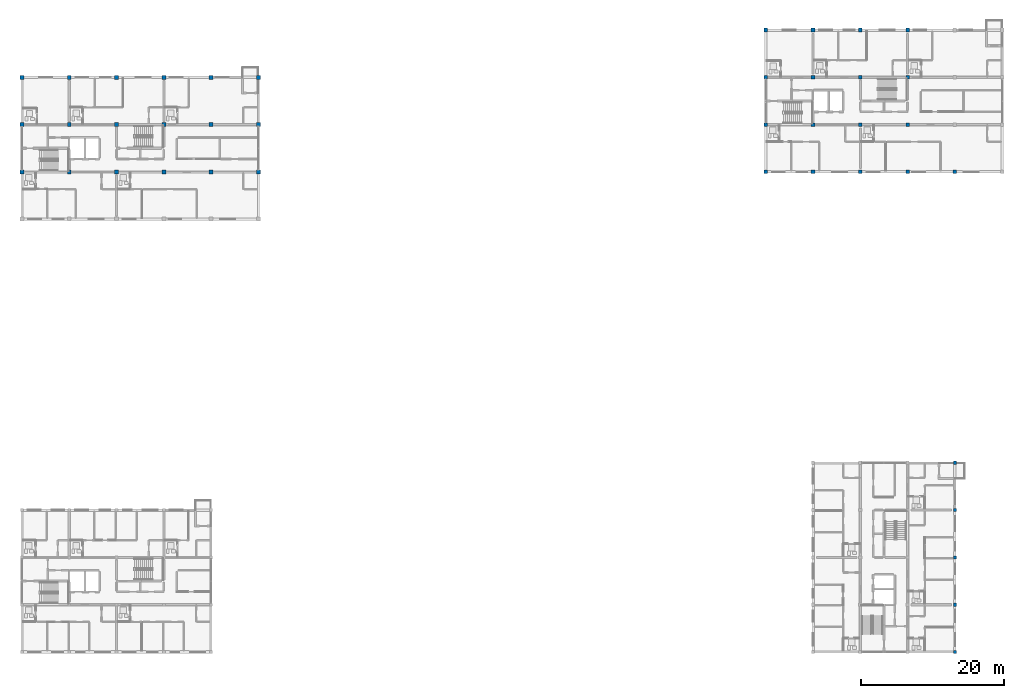
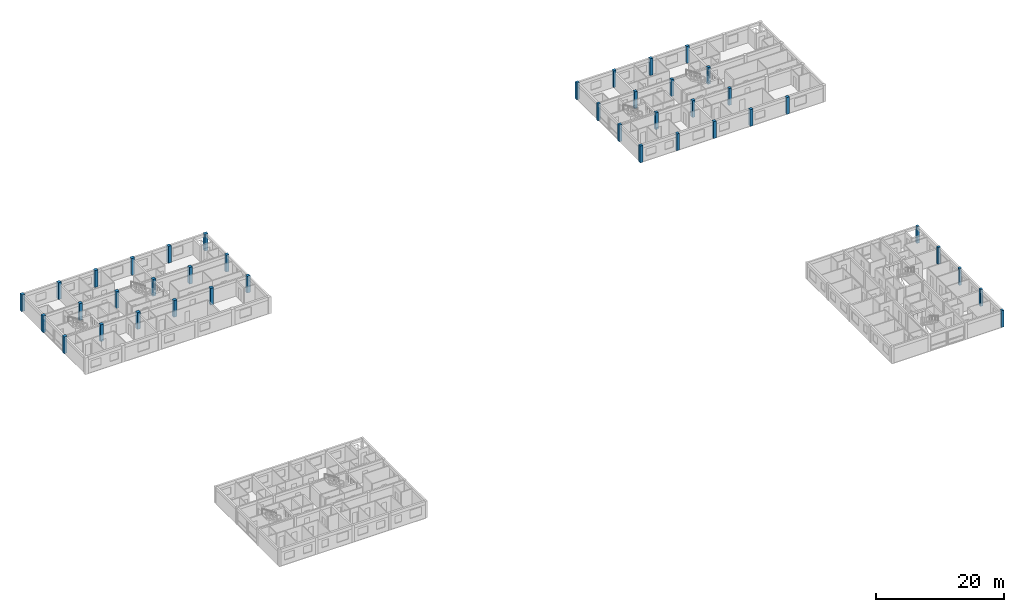
# One storey, part 2 of 45: 40 columns.
"""IFC4 building model written with IfcOpenShell, lengths in metres."""

from ifc_helpers import new_model, si_unit, direction, frame, origin, origin_2d, place, context, subcontext, project, spatial, rectangle, extrude, material, material_profile, profile_set, type_object, element, save


model = new_model("IFC4")

# Units and contexts
model_context = context("Model", 3, precision=1e-05, world=origin(), true_north=direction((0.0, 1.0)))
body_context = subcontext(model_context, "Body", "Model", "MODEL_VIEW")
ifc_project = project(units=[si_unit("LENGTHUNIT", "METRE"), si_unit("AREAUNIT", "SQUARE_METRE"), si_unit("VOLUMEUNIT", "CUBIC_METRE"), si_unit("PLANEANGLEUNIT", "RADIAN"), si_unit("MASSUNIT", "GRAM", prefix="KILO")], contexts=[model_context])

# Site, building, storey
site_placement = place(None, origin())
site = spatial("IfcSite", under=ifc_project, at=site_placement, CompositionType="ELEMENT")
building_placement = place(site_placement, origin())
building = spatial("IfcBuilding", under=site, at=building_placement, Name="Kernevlak Ridge Housing Community", CompositionType="ELEMENT")
storey_placement = place(building_placement, frame((0.0, 0.0, 14.800048828125)))
storey = spatial("IfcBuildingStorey", under=building, at=storey_placement, Name="L04", CompositionType="ELEMENT", Elevation=14.800048828125)

# Columns
ifc_material_1 = material(Name="Concrete C40/50", Category="concrete")
ifc_material_profile_1 = material_profile(ifc_material_1, rectangle(XDim=0.550048828125, YDim=0.550048828125, at=origin_2d()), Name="RC 550x550")
ifc_profile_set_1 = profile_set([ifc_material_profile_1], Name="Concrete C40/50")
column_type_1 = type_object("IfcColumnType", Name="C-02", PredefinedType="COLUMN", material=ifc_profile_set_1)
for number, where, z_axis, x_axis, name in (
    (1, (15.60009765625, 82.60009765625, 0.0), (0.0, 0.0, 1.0), (1.0, 0.0, 0.0), "Column C-02 COL-A-L04-00-1"),
    (2, (15.60009765625, 89.199951171875, 0.0), (0.0, 0.0, 1.0), (1.0, 0.0, 0.0), "Column C-02 COL-A-L04-00-2"),
    (3, (15.60009765625, 95.800048828125, 0.0), (0.0, 0.0, 1.0), (1.0, 0.0, 0.0), "Column C-02 COL-A-L04-00-3"),
    (4, (22.199951171875, 82.60009765625, 0.0), (0.0, 0.0, 1.0), (1.0, 0.0, 0.0), "Column C-02 COL-A-L04-01-1"),
    (5, (22.199951171875, 89.199951171875, 0.0), (0.0, 0.0, 1.0), (1.0, 0.0, 0.0), "Column C-02 COL-A-L04-01-2"),
    (6, (22.199951171875, 95.800048828125, 0.0), (0.0, 0.0, 1.0), (1.0, 0.0, 0.0), "Column C-02 COL-A-L04-01-3"),
    (7, (28.800048828125, 82.60009765625, 0.0), (0.0, 0.0, 1.0), (1.0, 0.0, 0.0), "Column C-02 COL-A-L04-02-1"),
    (8, (28.800048828125, 89.199951171875, 0.0), (0.0, 0.0, 1.0), (1.0, 0.0, 0.0), "Column C-02 COL-A-L04-02-2"),
    (9, (28.800048828125, 95.800048828125, 0.0), (0.0, 0.0, 1.0), (1.0, 0.0, 0.0), "Column C-02 COL-A-L04-02-3"),
    (10, (35.39990234375, 82.60009765625, 0.0), (0.0, 0.0, 1.0), (1.0, 0.0, 0.0), "Column C-02 COL-A-L04-03-1"),
    (11, (35.39990234375, 89.199951171875, 0.0), (0.0, 0.0, 1.0), (1.0, 0.0, 0.0), "Column C-02 COL-A-L04-03-2"),
    (12, (35.39990234375, 95.800048828125, 0.0), (0.0, 0.0, 1.0), (1.0, 0.0, 0.0), "Column C-02 COL-A-L04-03-3"),
    (13, (42.0, 82.60009765625, 0.0), (0.0, 0.0, 1.0), (1.0, 0.0, 0.0), "Column C-02 COL-A-L04-04-1"),
    (14, (42.0, 89.199951171875, 0.0), (0.0, 0.0, 1.0), (1.0, 0.0, 0.0), "Column C-02 COL-A-L04-04-2"),
    (15, (42.0, 95.800048828125, 0.0), (0.0, 0.0, 1.0), (1.0, 0.0, 0.0), "Column C-02 COL-A-L04-04-3"),
    (16, (48.60009765625, 82.60009765625, 0.0), (0.0, 0.0, 1.0), (1.0, 0.0, 0.0), "Column C-02 COL-A-L04-05-1"),
    (17, (48.60009765625, 89.199951171875, 0.0), (0.0, 0.0, 1.0), (1.0, 0.0, 0.0), "Column C-02 COL-A-L04-05-2"),
    (18, (48.60009765625, 95.800048828125, 0.0), (0.0, 0.0, 1.0), (1.0, 0.0, 0.0), "Column C-02 COL-A-L04-05-3"),
):
    element("IfcColumn", number, at=place(storey_placement, frame(where, z_axis=z_axis, x_axis=x_axis)), inside=storey, type_object=column_type_1, Name=name, PredefinedType="COLUMN", context=body_context, shape_type="SweptSolid", body=[
        extrude(rectangle(XDim=0.550048828125, YDim=0.550048828125, at=origin_2d()), origin(), (0.0, 0.0, 1.0), 3.199951171875),
    ])
ifc_material_profile_2 = material_profile(ifc_material_1, rectangle(XDim=0.5, YDim=0.5, at=origin_2d()), Name="RC 500x500")
ifc_profile_set_2 = profile_set([ifc_material_profile_2], Name="Concrete C40/50")
column_type_2 = type_object("IfcColumnType", Name="C-03", PredefinedType="COLUMN", material=ifc_profile_set_2)
for number, where, z_axis, x_axis, name in (
    (19, (119.39990234375, 82.60009765625, 0.0), (0.0, 0.0, 1.0), (1.0, 0.0, 0.0), "Column C-03 COL-B-L04-00-0"),
    (20, (119.39990234375, 89.199951171875, 0.0), (0.0, 0.0, 1.0), (1.0, 0.0, 0.0), "Column C-03 COL-B-L04-00-1"),
    (21, (119.39990234375, 95.800048828125, 0.0), (0.0, 0.0, 1.0), (1.0, 0.0, 0.0), "Column C-03 COL-B-L04-00-2"),
    (22, (119.39990234375, 102.39990234375, 0.0), (0.0, 0.0, 1.0), (1.0, 0.0, 0.0), "Column C-03 COL-B-L04-00-3"),
    (23, (126.0, 82.60009765625, 0.0), (0.0, 0.0, 1.0), (1.0, 0.0, 0.0), "Column C-03 COL-B-L04-01-0"),
    (24, (126.0, 89.199951171875, 0.0), (0.0, 0.0, 1.0), (1.0, 0.0, 0.0), "Column C-03 COL-B-L04-01-1"),
    (25, (126.0, 95.800048828125, 0.0), (0.0, 0.0, 1.0), (1.0, 0.0, 0.0), "Column C-03 COL-B-L04-01-2"),
    (26, (126.0, 102.39990234375, 0.0), (0.0, 0.0, 1.0), (1.0, 0.0, 0.0), "Column C-03 COL-B-L04-01-3"),
    (27, (132.60009765625, 82.60009765625, 0.0), (0.0, 0.0, 1.0), (1.0, 0.0, 0.0), "Column C-03 COL-B-L04-02-0"),
    (28, (132.60009765625, 89.199951171875, 0.0), (0.0, 0.0, 1.0), (1.0, 0.0, 0.0), "Column C-03 COL-B-L04-02-1"),
    (29, (132.60009765625, 95.800048828125, 0.0), (0.0, 0.0, 1.0), (1.0, 0.0, 0.0), "Column C-03 COL-B-L04-02-2"),
    (30, (132.60009765625, 102.39990234375, 0.0), (0.0, 0.0, 1.0), (1.0, 0.0, 0.0), "Column C-03 COL-B-L04-02-3"),
    (31, (139.199951171875, 82.60009765625, 0.0), (0.0, 0.0, 1.0), (1.0, 0.0, 0.0), "Column C-03 COL-B-L04-03-0"),
    (32, (139.199951171875, 89.199951171875, 0.0), (0.0, 0.0, 1.0), (1.0, 0.0, 0.0), "Column C-03 COL-B-L04-03-1"),
    (33, (139.199951171875, 95.800048828125, 0.0), (0.0, 0.0, 1.0), (1.0, 0.0, 0.0), "Column C-03 COL-B-L04-03-2"),
    (34, (139.199951171875, 102.39990234375, 0.0), (0.0, 0.0, 1.0), (1.0, 0.0, 0.0), "Column C-03 COL-B-L04-03-3"),
    (35, (145.800048828125, 82.60009765625, 0.0), (0.0, 0.0, 1.0), (1.0, 0.0, 0.0), "Column C-03 COL-B-L04-04-0"),
):
    element("IfcColumn", number, at=place(storey_placement, frame(where, z_axis=z_axis, x_axis=x_axis)), inside=storey, type_object=column_type_2, Name=name, PredefinedType="COLUMN", context=body_context, shape_type="SweptSolid", body=[
        extrude(rectangle(XDim=0.5, YDim=0.5, at=origin_2d()), origin(), (0.0, 0.0, 1.0), 3.199951171875),
    ])
ifc_material_2 = material(Name="Concrete C35/45", Category="concrete")
ifc_material_profile_3 = material_profile(ifc_material_2, rectangle(XDim=0.449951171875, YDim=0.449951171875, at=origin_2d()), Name="RC 450x450")
ifc_profile_set_3 = profile_set([ifc_material_profile_3], Name="Concrete C35/45")
column_type_3 = type_object("IfcColumnType", Name="C-04", PredefinedType="COLUMN", material=ifc_profile_set_3)
for number, where, z_axis, x_axis, name in (
    (36, (145.800048828125, 15.60009765625, 0.0), (0.0, 0.0, 1.0), (1.0, 0.0, 0.0), "Column C-04 COL-C-L04-00-3"),
    (37, (145.800048828125, 22.199951171875, 0.0), (0.0, 0.0, 1.0), (1.0, 0.0, 0.0), "Column C-04 COL-C-L04-01-3"),
    (38, (145.800048828125, 28.800048828125, 0.0), (0.0, 0.0, 1.0), (1.0, 0.0, 0.0), "Column C-04 COL-C-L04-02-3"),
    (39, (145.800048828125, 35.39990234375, 0.0), (0.0, 0.0, 1.0), (1.0, 0.0, 0.0), "Column C-04 COL-C-L04-03-3"),
    (40, (145.800048828125, 42.0, 0.0), (0.0, 0.0, 1.0), (1.0, 0.0, 0.0), "Column C-04 COL-C-L04-04-3"),
):
    element("IfcColumn", number, at=place(storey_placement, frame(where, z_axis=z_axis, x_axis=x_axis)), inside=storey, type_object=column_type_3, Name=name, PredefinedType="COLUMN", context=body_context, shape_type="SweptSolid", body=[
        extrude(rectangle(XDim=0.449951171875, YDim=0.449951171875, at=origin_2d()), origin(), (0.0, 0.0, 1.0), 3.199951171875),
    ])

save(model, "model.ifc")
